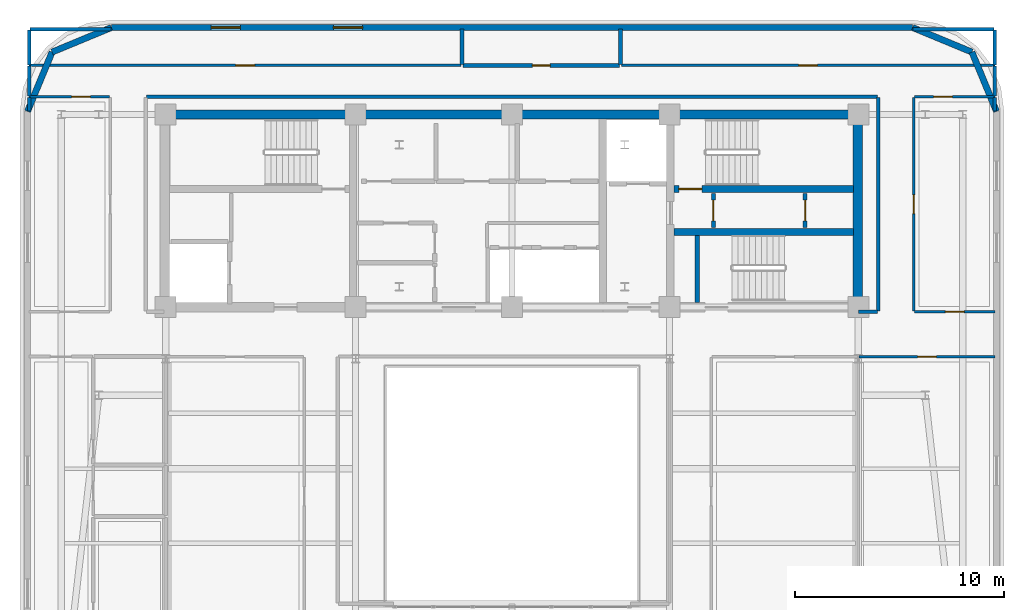
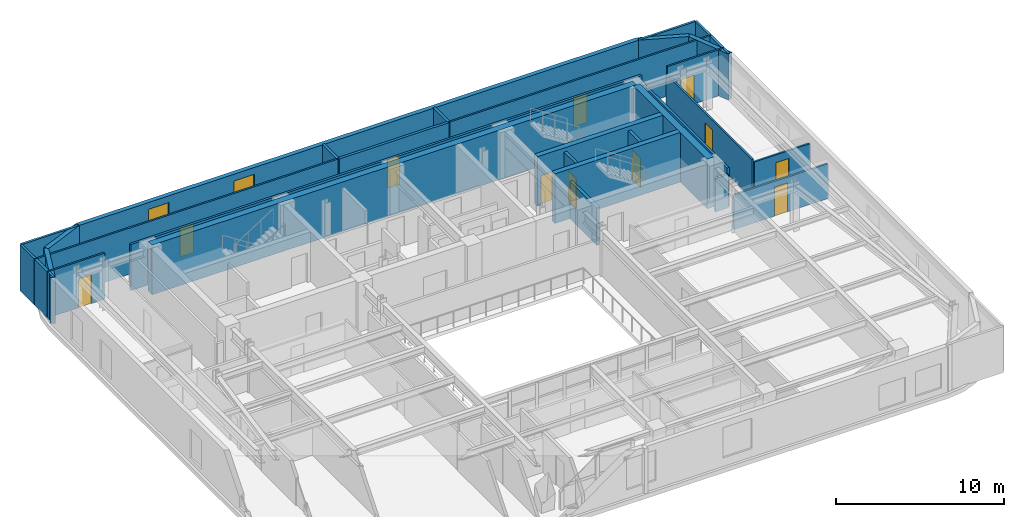
# One storey, part 9 of 14: 33 walls, 11 doors, 2 windows, 13 openings.
"""IFC4 building model written with IfcOpenShell, lengths in metres."""

from ifc_helpers import new_model, si_unit, direction, frame, frame_2d, origin, place, context, subcontext, project, spatial, rectangle, extrude, material, layer, layer_set, type_object, element, fill, save


model = new_model("IFC4")

# Units and contexts
model_context = context("Model", 3, precision=1e-05, world=origin(), true_north=direction((0.0, 1.0)))
body_context = subcontext(model_context, "Body", "Model", "MODEL_VIEW")
ifc_project = project(units=[si_unit("LENGTHUNIT", "METRE"), si_unit("AREAUNIT", "SQUARE_METRE"), si_unit("VOLUMEUNIT", "CUBIC_METRE"), si_unit("PLANEANGLEUNIT", "RADIAN"), si_unit("MASSUNIT", "GRAM", prefix="KILO")], contexts=[model_context])

# Site, building, storey
site_placement = place(None, origin())
site = spatial("IfcSite", under=ifc_project, at=site_placement, CompositionType="ELEMENT")
building_placement = place(site_placement, origin())
building = spatial("IfcBuilding", under=site, at=building_placement, Name="Zarnavel Station Tower", CompositionType="ELEMENT")
storey_placement = place(building_placement, frame((0.0, 0.0, 222.0)))
storey = spatial("IfcBuildingStorey", under=building, at=storey_placement, Name="L60", CompositionType="ELEMENT", Elevation=222.0)

# Wall, opening, door
ifc_material_1 = material(Name="Concrete C50/60", Category="concrete")
ifc_layer_1 = layer(ifc_material_1, 0.35009765625)
ifc_layer_set_1 = layer_set([ifc_layer_1], Name="CW_350")
wall_type_1 = type_object("IfcWallType", Name="CW_350", PredefinedType="SHEAR", material=ifc_layer_set_1)
wall_1_placement = place(storey_placement, frame((45.155029296875, 33.47998046875, 0.0), z_axis=(0.0, 0.0, 1.0), x_axis=(-1.0, 0.0, 0.0)))
wall_1 = element("IfcWall", 1, at=wall_1_placement, inside=storey, type_object=wall_type_1, Name="L60 Rear Core Shear Wall DIV-H2", PredefinedType="SHEAR", context=body_context, shape_type="SweptSolid", body=[
    extrude(rectangle(XDim=8.60009765625, YDim=0.35009765625, at=frame_2d((4.300048828125, 0.0))), origin(), (0.0, 0.0, 1.0), 3.60009765625),
])
opening_1_placement = place(wall_1_placement, frame((7.2548828125, 0.0, 0.0)))
opening_1 = element("IfcOpeningElement", 2, at=opening_1_placement, cuts=wall_1, Name="Opening FD01", PredefinedType="OPENING", context=body_context, shape_type="SweptSolid", body=[
    extrude(rectangle(XDim=1.10009765625, YDim=2.14990234375, at=frame_2d((0.550048828125, 1.074951171875))), frame((0.0, 0.18505859375, 0.0), z_axis=(0.0, -1.0, 0.0), x_axis=(1.0, 0.0, 0.0)), (0.0, 0.0, 1.0), 0.3701171875),
])
ifc_material_2 = material(Name="Painted Galvanised Steel and Hardwood Leaf", Category="steel")
door_type_1 = type_object("IfcDoorType", Name="ID_STAIR_1100", OperationType="NOTDEFINED", PredefinedType="DOOR", material=ifc_material_2)
door_1_placement = place(opening_1_placement, origin())
door_1 = element("IfcDoor", 3, at=door_1_placement, inside=storey, type_object=door_type_1, Name="L60 Stair ST2 Lobby Fire Door", OperationType="SINGLE_SWING_RIGHT", OverallHeight=2.14990234375, OverallWidth=1.10009765625, PredefinedType="DOOR", context=body_context, shape_type="SweptSolid", body=[
    extrude(rectangle(XDim=1.10009765625, YDim=2.14990234375, at=frame_2d((0.550048828125, 1.074951171875))), frame((0.0, 0.02490234375, 0.0), z_axis=(0.0, -1.0, 0.0), x_axis=(1.0, 0.0, 0.0)), (0.0, 0.0, 1.0), 0.050048828125),
])
fill(opening_1, door_1)

# Walls
wall_2_placement = place(storey_placement, frame((36.554931640625, 31.419921875, 0.0), z_axis=(0.0, 0.0, 1.0), x_axis=(1.0, 0.0, 0.0)))
element("IfcWall", 4, at=wall_2_placement, inside=storey, type_object=wall_type_1, Name="L60 Rear Core Shear Wall DIV-H3", PredefinedType="SHEAR", context=body_context, shape_type="SweptSolid", body=[
    extrude(rectangle(XDim=8.60009765625, YDim=0.35009765625, at=frame_2d((4.300048828125, 0.0))), origin(), (0.0, 0.0, 1.0), 3.60009765625),
])
ifc_material_3 = material(Name="Concrete C50/60", Category="concrete")
ifc_layer_2 = layer(ifc_material_3, 0.449951171875)
ifc_layer_set_2 = layer_set([ifc_layer_2], Name="CW_450")
wall_type_2 = type_object("IfcWallType", Name="CW_450", PredefinedType="SHEAR", material=ifc_layer_set_2)
wall_3_placement = place(storey_placement, frame((12.14990234375, 37.050048828125, 0.0), z_axis=(0.0, 0.0, 1.0), x_axis=(1.0, 0.0, 0.0)))
element("IfcWall", 5, at=wall_3_placement, inside=storey, type_object=wall_type_2, Name="L60 Rear Core Shear Wall N", PredefinedType="SHEAR", context=body_context, shape_type="SweptSolid", body=[
    extrude(rectangle(XDim=33.22998046875, YDim=0.449951171875, at=frame_2d((16.614990234375, 0.0))), origin(), (0.0, 0.0, 1.0), 3.60009765625),
])
wall_4_placement = place(storey_placement, frame((45.3798828125, 28.044921875, 0.0), z_axis=(0.0, 0.0, 1.0), x_axis=(0.0, 1.0, 0.0)))
element("IfcWall", 6, at=wall_4_placement, inside=storey, type_object=wall_type_2, Name="L60 Rear Core Shear Wall E", PredefinedType="SHEAR", context=body_context, shape_type="SweptSolid", body=[
    extrude(rectangle(XDim=8.780029296875, YDim=0.449951171875, at=frame_2d((4.39013671875, 0.0))), origin(), (0.0, 0.0, 1.0), 3.60009765625),
])
ifc_material_4 = material(Name="Precast concrete C45/55 (Dark Basalt Finish)", Category="masonry")
ifc_layer_3 = layer(ifc_material_4, 0.300048828125)
ifc_layer_set_3 = layer_set([ifc_layer_3], Name="EW_BASALT_300")
wall_type_3 = type_object("IfcWallType", Name="EW_BASALT_300", PredefinedType="SOLIDWALL", material=ifc_layer_set_3)
for number, where, z_axis, x_axis, name in (
    (7, (50.842529296875, 40.04248046875, 0.0), (0.0, 0.0, 1.0), (0.382704529509, -0.923870793506, 0.0), "L60 Exterior Basalt Masonry Frame Wall 04"),
    (8, (48.0, 41.219970703125, 0.0), (0.0, 0.0, 1.0), (0.923870793506, -0.382704529509, 0.0), "L60 Exterior Basalt Masonry Frame Wall 05"),
):
    element("IfcWall", number, at=place(storey_placement, frame(where, z_axis=z_axis, x_axis=x_axis)), inside=storey, type_object=wall_type_3, Name=name, PredefinedType="SOLIDWALL", context=body_context, shape_type="SweptSolid", body=[
        extrude(rectangle(XDim=3.07666015625, YDim=0.300048828125, at=frame_2d((1.538330078125, 0.0))), origin(), (0.0, 0.0, 1.0), 3.340087890625),
    ])

# Wall, openings, windows
wall_5_placement = place(storey_placement, frame((9.60009765625, 41.219970703125, 0.0), z_axis=(0.0, 0.0, 1.0), x_axis=(1.0, 0.0, 0.0)))
wall_5 = element("IfcWall", 9, at=wall_5_placement, inside=storey, type_object=wall_type_3, Name="L60 Exterior Basalt Masonry Frame Wall 06", PredefinedType="SOLIDWALL", context=body_context, shape_type="SweptSolid", body=[
    extrude(rectangle(XDim=38.39990234375, YDim=0.300048828125, at=frame_2d((19.199951171875, 0.0))), origin(), (0.0, 0.0, 1.0), 3.340087890625),
])
opening_2_placement = place(wall_5_placement, frame((4.780029296875, 0.0, 0.75)))
opening_2 = element("IfcOpeningElement", 10, at=opening_2_placement, cuts=wall_5, Name="Opening WN04", PredefinedType="OPENING", context=body_context, shape_type="SweptSolid", body=[
    extrude(rectangle(XDim=1.39990234375, YDim=2.10009765625, at=frame_2d((0.699951171875, 1.050048828125))), frame((0.0, 0.159912109375, 0.0), z_axis=(0.0, -1.0, 0.0), x_axis=(1.0, 0.0, 0.0)), (0.0, 0.0, 1.0), 0.320068359375),
])
opening_3_placement = place(wall_5_placement, frame((10.639892578125, 0.0, 0.75)))
opening_3 = element("IfcOpeningElement", 11, at=opening_3_placement, cuts=wall_5, Name="Opening WN04", PredefinedType="OPENING", context=body_context, shape_type="SweptSolid", body=[
    extrude(rectangle(XDim=1.39990234375, YDim=2.10009765625, at=frame_2d((0.699951171875, 1.050048828125))), frame((0.0, 0.159912109375, 0.0), z_axis=(0.0, -1.0, 0.0), x_axis=(1.0, 0.0, 0.0)), (0.0, 0.0, 1.0), 0.320068359375),
])
ifc_material_5 = material(Name="Thermally Broken Black Aluminium and Low-E Dark Glass", Category="aluminium")
window_type = type_object("IfcWindowType", Name="WN_1400x2100", PartitioningType="DOUBLE_PANEL_VERTICAL", PredefinedType="WINDOW", material=ifc_material_5)
window_1_placement = place(opening_2_placement, origin())
window_1 = element("IfcWindow", 12, at=window_1_placement, inside=storey, type_object=window_type, Name="L60 Recessed Facade Window 01", OverallHeight=2.10009765625, OverallWidth=1.39990234375, PartitioningType="SINGLE_PANEL", PredefinedType="WINDOW", context=body_context, shape_type="SweptSolid", body=[
    extrude(rectangle(XDim=1.39990234375, YDim=2.10009765625, at=frame_2d((0.699951171875, 1.050048828125))), frame((0.0, 0.030029296875, 0.0), z_axis=(0.0, -1.0, 0.0), x_axis=(1.0, 0.0, 0.0)), (0.0, 0.0, 1.0), 0.06005859375),
])
fill(opening_2, window_1)
window_2_placement = place(opening_3_placement, origin())
window_2 = element("IfcWindow", 13, at=window_2_placement, inside=storey, type_object=window_type, Name="L60 Recessed Facade Window 02", OverallHeight=2.10009765625, OverallWidth=1.39990234375, PartitioningType="SINGLE_PANEL", PredefinedType="WINDOW", context=body_context, shape_type="SweptSolid", body=[
    extrude(rectangle(XDim=1.39990234375, YDim=2.10009765625, at=frame_2d((0.699951171875, 1.050048828125))), frame((0.0, 0.030029296875, 0.0), z_axis=(0.0, -1.0, 0.0), x_axis=(1.0, 0.0, 0.0)), (0.0, 0.0, 1.0), 0.06005859375),
])
fill(opening_3, window_2)

# Walls
wall_6_placement = place(storey_placement, frame((6.75732421875, 40.04248046875, 0.0), z_axis=(0.0, 0.0, 1.0), x_axis=(0.923882414032, 0.382676475685, 0.0)))
element("IfcWall", 14, at=wall_6_placement, inside=storey, type_object=wall_type_3, Name="L60 Exterior Basalt Masonry Frame Wall 07", PredefinedType="SOLIDWALL", context=body_context, shape_type="SweptSolid", body=[
    extrude(rectangle(XDim=3.076904296875, YDim=0.300048828125, at=frame_2d((1.53857421875, 0.0))), origin(), (0.0, 0.0, 1.0), 3.340087890625),
])
wall_7_placement = place(storey_placement, frame((5.580078125, 37.199951171875, 0.0), z_axis=(0.0, 0.0, 1.0), x_axis=(0.382636798336, 0.92389884758, 0.0)))
element("IfcWall", 15, at=wall_7_placement, inside=storey, type_object=wall_type_3, Name="L60 Exterior Basalt Masonry Frame Wall 08", PredefinedType="SOLIDWALL", context=body_context, shape_type="SweptSolid", body=[
    extrude(rectangle(XDim=3.07666015625, YDim=0.300048828125, at=frame_2d((1.538330078125, 0.0))), origin(), (0.0, 0.0, 1.0), 3.340087890625),
])
ifc_material_6 = material(Name="Gypsum Twin-Stud Acoustic Fire Partition", Category="concrete")
ifc_layer_4 = layer(ifc_material_6, 0.159912109375)
ifc_layer_set_4 = layer_set([ifc_layer_4], Name="PT_DEMISE_160")
wall_type_4 = type_object("IfcWallType", Name="PT_DEMISE_160", PredefinedType="PARTITIONING", material=ifc_layer_set_4)
wall_8_placement = place(storey_placement, frame((45.409912109375, 27.60009765625, 0.0), z_axis=(0.0, 0.0, 1.0), x_axis=(1.0, 0.0, 0.0)))
element("IfcWall", 16, at=wall_8_placement, inside=storey, type_object=wall_type_4, Name="L60 Enclosure Wall COR-S", PredefinedType="PARTITIONING", context=body_context, shape_type="SweptSolid", body=[
    extrude(rectangle(XDim=0.91015625, YDim=0.159912109375, at=frame_2d((0.455078125, 0.0))), origin(), (0.0, 0.0, 1.0), 2.409912109375),
])
wall_9_placement = place(storey_placement, frame((46.35009765625, 27.6298828125, 0.0), z_axis=(0.0, 0.0, 1.0), x_axis=(0.0, 1.0, 0.0)))
element("IfcWall", 17, at=wall_9_placement, inside=storey, type_object=wall_type_4, Name="L60 Enclosure Wall COR-E", PredefinedType="PARTITIONING", context=body_context, shape_type="SweptSolid", body=[
    extrude(rectangle(XDim=10.240234375, YDim=0.159912109375, at=frame_2d((5.1201171875, 0.0))), origin(), (0.0, 0.0, 1.0), 2.820068359375),
])
wall_10_placement = place(storey_placement, frame((11.280029296875, 37.89990234375, 0.0), z_axis=(0.0, 0.0, 1.0), x_axis=(1.0, 0.0, 0.0)))
element("IfcWall", 18, at=wall_10_placement, inside=storey, type_object=wall_type_4, Name="L60 Enclosure Wall COR-N", PredefinedType="PARTITIONING", context=body_context, shape_type="SweptSolid", body=[
    extrude(rectangle(XDim=35.0400390625, YDim=0.159912109375, at=frame_2d((17.52001953125, 0.0))), origin(), (0.0, 0.0, 1.0), 3.340087890625),
])
for number, where, z_axis, x_axis, name in (
    (19, (5.659912109375, 37.929931640625, 0.0), (0.0, 0.0, 1.0), (0.0, 1.0, 0.0), "L60 Enclosure Wall COR-N"),
    (20, (51.93994140625, 37.929931640625, 0.0), (0.0, 0.0, 1.0), (0.0, 1.0, 0.0), "L60 Enclosure Wall COR-N"),
):
    element("IfcWall", number, at=place(storey_placement, frame(where, z_axis=z_axis, x_axis=x_axis)), inside=storey, type_object=wall_type_4, Name=name, PredefinedType="PARTITIONING", context=body_context, shape_type="SweptSolid", body=[
        extrude(rectangle(XDim=1.440185546875, YDim=0.159912109375, at=frame_2d((0.72021484375, 0.0))), origin(), (0.0, 0.0, 1.0), 3.340087890625),
    ])
for number, where, z_axis, x_axis, name in (
    (21, (5.659912109375, 37.22998046875, 0.0), (0.0, 0.0, 1.0), (0.0, 1.0, 0.0), "L60 Enclosure Wall FNW"),
    (22, (51.93994140625, 37.22998046875, 0.0), (0.0, 0.0, 1.0), (0.0, 1.0, 0.0), "L60 Enclosure Wall FNE"),
):
    element("IfcWall", number, at=place(storey_placement, frame(where, z_axis=z_axis, x_axis=x_axis)), inside=storey, type_object=wall_type_4, Name=name, PredefinedType="PARTITIONING", context=body_context, shape_type="SweptSolid", body=[
        extrude(rectangle(XDim=0.64013671875, YDim=0.159912109375, at=frame_2d((0.320068359375, 0.0))), origin(), (0.0, 0.0, 1.0), 3.340087890625),
    ])
wall_11_placement = place(storey_placement, frame((5.68994140625, 41.139892578125, 0.0), z_axis=(0.0, 0.0, 1.0), x_axis=(1.0, 0.0, 0.0)))
element("IfcWall", 23, at=wall_11_placement, inside=storey, type_object=wall_type_4, Name="L60 Enclosure Wall NSTD", PredefinedType="PARTITIONING", context=body_context, shape_type="SweptSolid", body=[
    extrude(rectangle(XDim=3.880126953125, YDim=0.159912109375, at=frame_2d((1.93994140625, 0.0))), origin(), (0.0, 0.0, 1.0), 3.340087890625),
])
wall_12_placement = place(storey_placement, frame((5.659912109375, 39.429931640625, 0.0), z_axis=(0.0, 0.0, 1.0), x_axis=(0.0, 1.0, 0.0)))
element("IfcWall", 24, at=wall_12_placement, inside=storey, type_object=wall_type_4, Name="L60 Enclosure Wall NSTD", PredefinedType="PARTITIONING", context=body_context, shape_type="SweptSolid", body=[
    extrude(rectangle(XDim=1.68017578125, YDim=0.159912109375, at=frame_2d((0.840087890625, 0.0))), origin(), (0.0, 0.0, 1.0), 3.340087890625),
])
wall_13_placement = place(storey_placement, frame((48.030029296875, 41.139892578125, 0.0), z_axis=(0.0, 0.0, 1.0), x_axis=(1.0, 0.0, 0.0)))
element("IfcWall", 25, at=wall_13_placement, inside=storey, type_object=wall_type_4, Name="L60 Enclosure Wall NSTR", PredefinedType="PARTITIONING", context=body_context, shape_type="SweptSolid", body=[
    extrude(rectangle(XDim=3.8798828125, YDim=0.159912109375, at=frame_2d((1.93994140625, 0.0))), origin(), (0.0, 0.0, 1.0), 3.340087890625),
])
wall_14_placement = place(storey_placement, frame((51.93994140625, 39.429931640625, 0.0), z_axis=(0.0, 0.0, 1.0), x_axis=(0.0, 1.0, 0.0)))
element("IfcWall", 26, at=wall_14_placement, inside=storey, type_object=wall_type_4, Name="L60 Enclosure Wall NSTR", PredefinedType="PARTITIONING", context=body_context, shape_type="SweptSolid", body=[
    extrude(rectangle(XDim=1.68017578125, YDim=0.159912109375, at=frame_2d((0.840087890625, 0.0))), origin(), (0.0, 0.0, 1.0), 3.340087890625),
])

# Wall, opening, door
ifc_material_7 = material(Name="Gypsum Metal-Stud Interior Partition", Category="concrete")
ifc_layer_5 = layer(ifc_material_7, 0.1201171875)
ifc_layer_set_5 = layer_set([ifc_layer_5], Name="PT_ROOM_120")
wall_type_5 = type_object("IfcWallType", Name="PT_ROOM_120", PredefinedType="PARTITIONING", material=ifc_layer_set_5)
wall_15_placement = place(storey_placement, frame((48.090087890625, 27.60009765625, 0.0), z_axis=(0.0, 0.0, 1.0), x_axis=(1.0, 0.0, 0.0)))
wall_15 = element("IfcWall", 27, at=wall_15_placement, inside=storey, type_object=wall_type_5, Name="L60 Partition COR-S-FNE", PredefinedType="PARTITIONING", context=body_context, shape_type="SweptSolid", body=[
    extrude(rectangle(XDim=3.849853515625, YDim=0.1201171875, at=frame_2d((1.9248046875, 0.0))), origin(), (0.0, 0.0, 1.0), 2.669921875),
])
opening_4_placement = place(wall_15_placement, frame((1.47509765625, 0.0, 0.0)))
opening_4 = element("IfcOpeningElement", 28, at=opening_4_placement, cuts=wall_15, Name="Opening ID01", PredefinedType="OPENING", context=body_context, shape_type="SweptSolid", body=[
    extrude(rectangle(XDim=0.89990234375, YDim=2.10009765625, at=frame_2d((0.449951171875, 1.050048828125))), frame((0.0, 0.070068359375, 0.0), z_axis=(0.0, -1.0, 0.0), x_axis=(1.0, 0.0, 0.0)), (0.0, 0.0, 1.0), 0.14013671875),
])
ifc_material_8 = material(Name="Painted Galvanised Steel and Hardwood Leaf", Category="steel")
door_type_2 = type_object("IfcDoorType", Name="ID_ROOM_900", OperationType="NOTDEFINED", PredefinedType="DOOR", material=ifc_material_8)
door_2_placement = place(opening_4_placement, origin())
door_2 = element("IfcDoor", 29, at=door_2_placement, inside=storey, type_object=door_type_2, Name="L60 Door COR-S-FNE", OperationType="SINGLE_SWING_LEFT", OverallHeight=2.10009765625, OverallWidth=0.89990234375, PredefinedType="DOOR", context=body_context, shape_type="SweptSolid", body=[
    extrude(rectangle(XDim=0.89990234375, YDim=2.10009765625, at=frame_2d((0.449951171875, 1.050048828125))), frame((0.0, 0.02490234375, 0.0), z_axis=(0.0, -1.0, 0.0), x_axis=(1.0, 0.0, 0.0)), (0.0, 0.0, 1.0), 0.050048828125),
])
fill(opening_4, door_2)

wall_16_placement = place(storey_placement, frame((45.43994140625, 25.449951171875, 0.0), z_axis=(0.0, 0.0, 1.0), x_axis=(1.0, 0.0, 0.0)))
wall_16 = element("IfcWall", 30, at=wall_16_placement, inside=storey, type_object=wall_type_5, Name="L60 Partition COR-S-L59TEA", PredefinedType="PARTITIONING", context=body_context, shape_type="SweptSolid", body=[
    extrude(rectangle(XDim=6.5, YDim=0.1201171875, at=frame_2d((3.25, 0.0))), origin(), (0.0, 0.0, 1.0), 2.52001953125),
])
opening_5_placement = place(wall_16_placement, frame((2.800048828125, 0.0, 0.0)))
opening_5 = element("IfcOpeningElement", 31, at=opening_5_placement, cuts=wall_16, Name="Opening ID01", PredefinedType="OPENING", context=body_context, shape_type="SweptSolid", body=[
    extrude(rectangle(XDim=0.89990234375, YDim=2.10009765625, at=frame_2d((0.449951171875, 1.050048828125))), frame((0.0, 0.070068359375, 0.0), z_axis=(0.0, -1.0, 0.0), x_axis=(1.0, 0.0, 0.0)), (0.0, 0.0, 1.0), 0.14013671875),
])
door_3_placement = place(opening_5_placement, origin())
door_3 = element("IfcDoor", 32, at=door_3_placement, inside=storey, type_object=door_type_2, Name="L60 Door COR-S-L59TEA", OperationType="SINGLE_SWING_LEFT", OverallHeight=2.10009765625, OverallWidth=0.89990234375, PredefinedType="DOOR", context=body_context, shape_type="SweptSolid", body=[
    extrude(rectangle(XDim=0.89990234375, YDim=2.10009765625, at=frame_2d((0.449951171875, 1.050048828125))), frame((0.0, 0.02490234375, 0.0), z_axis=(0.0, -1.0, 0.0), x_axis=(1.0, 0.0, 0.0)), (0.0, 0.0, 1.0), 0.050048828125),
])
fill(opening_5, door_3)

wall_17_placement = place(storey_placement, frame((48.050048828125, 27.639892578125, 0.0), z_axis=(0.0, 0.0, 1.0), x_axis=(0.0, 1.0, 0.0)))
wall_17 = element("IfcWall", 33, at=wall_17_placement, inside=storey, type_object=wall_type_5, Name="L60 Partition COR-E-FNE", PredefinedType="PARTITIONING", context=body_context, shape_type="SweptSolid", body=[
    extrude(rectangle(XDim=10.22021484375, YDim=0.1201171875, at=frame_2d((5.110107421875, 0.0))), origin(), (0.0, 0.0, 1.0), 2.820068359375),
])
opening_6_placement = place(wall_17_placement, frame((4.659912109375, 0.0, 0.0)))
opening_6 = element("IfcOpeningElement", 34, at=opening_6_placement, cuts=wall_17, Name="Opening ID01", PredefinedType="OPENING", context=body_context, shape_type="SweptSolid", body=[
    extrude(rectangle(XDim=0.89990234375, YDim=2.10009765625, at=frame_2d((0.449951171875, 1.050048828125))), frame((0.0, 0.070068359375, 0.0), z_axis=(0.0, -1.0, 0.0), x_axis=(1.0, 0.0, 0.0)), (0.0, 0.0, 1.0), 0.14013671875),
])
door_4_placement = place(opening_6_placement, origin())
door_4 = element("IfcDoor", 35, at=door_4_placement, inside=storey, type_object=door_type_2, Name="L60 Door COR-E-FNE", OperationType="SINGLE_SWING_RIGHT", OverallHeight=2.10009765625, OverallWidth=0.89990234375, PredefinedType="DOOR", context=body_context, shape_type="SweptSolid", body=[
    extrude(rectangle(XDim=0.89990234375, YDim=2.10009765625, at=frame_2d((0.449951171875, 1.050048828125))), frame((0.0, 0.02490234375, 0.0), z_axis=(0.0, -1.0, 0.0), x_axis=(1.0, 0.0, 0.0)), (0.0, 0.0, 1.0), 0.050048828125),
])
fill(opening_6, door_4)

wall_18_placement = place(storey_placement, frame((5.659912109375, 37.89990234375, 0.0), z_axis=(0.0, 0.0, 1.0), x_axis=(1.0, 0.0, 0.0)))
wall_18 = element("IfcWall", 36, at=wall_18_placement, inside=storey, type_object=wall_type_5, Name="L60 Partition COR-N-FNW", PredefinedType="PARTITIONING", context=body_context, shape_type="SweptSolid", body=[
    extrude(rectangle(XDim=3.85009765625, YDim=0.1201171875, at=frame_2d((1.925048828125, 0.0))), origin(), (0.0, 0.0, 1.0), 3.340087890625),
])
opening_7_placement = place(wall_18_placement, frame((2.03125, 0.0, 0.0)))
opening_7 = element("IfcOpeningElement", 37, at=opening_7_placement, cuts=wall_18, Name="Opening ID01", PredefinedType="OPENING", context=body_context, shape_type="SweptSolid", body=[
    extrude(rectangle(XDim=0.89990234375, YDim=2.10009765625, at=frame_2d((0.449951171875, 1.050048828125))), frame((0.0, 0.070068359375, 0.0), z_axis=(0.0, -1.0, 0.0), x_axis=(1.0, 0.0, 0.0)), (0.0, 0.0, 1.0), 0.14013671875),
])
door_5_placement = place(opening_7_placement, origin())
door_5 = element("IfcDoor", 38, at=door_5_placement, inside=storey, type_object=door_type_2, Name="L60 Door COR-N-FNW", OperationType="SINGLE_SWING_LEFT", OverallHeight=2.10009765625, OverallWidth=0.89990234375, PredefinedType="DOOR", context=body_context, shape_type="SweptSolid", body=[
    extrude(rectangle(XDim=0.89990234375, YDim=2.10009765625, at=frame_2d((0.449951171875, 1.050048828125))), frame((0.0, 0.02490234375, 0.0), z_axis=(0.0, -1.0, 0.0), x_axis=(1.0, 0.0, 0.0)), (0.0, 0.0, 1.0), 0.050048828125),
])
fill(opening_7, door_5)

wall_19_placement = place(storey_placement, frame((48.090087890625, 37.89990234375, 0.0), z_axis=(0.0, 0.0, 1.0), x_axis=(1.0, 0.0, 0.0)))
wall_19 = element("IfcWall", 39, at=wall_19_placement, inside=storey, type_object=wall_type_5, Name="L60 Partition COR-N-FNE", PredefinedType="PARTITIONING", context=body_context, shape_type="SweptSolid", body=[
    extrude(rectangle(XDim=3.849853515625, YDim=0.1201171875, at=frame_2d((1.9248046875, 0.0))), origin(), (0.0, 0.0, 1.0), 3.340087890625),
])
opening_8_placement = place(wall_19_placement, frame((0.918701171875, 0.0, 0.0)))
opening_8 = element("IfcOpeningElement", 40, at=opening_8_placement, cuts=wall_19, Name="Opening ID01", PredefinedType="OPENING", context=body_context, shape_type="SweptSolid", body=[
    extrude(rectangle(XDim=0.89990234375, YDim=2.10009765625, at=frame_2d((0.449951171875, 1.050048828125))), frame((0.0, 0.070068359375, 0.0), z_axis=(0.0, -1.0, 0.0), x_axis=(1.0, 0.0, 0.0)), (0.0, 0.0, 1.0), 0.14013671875),
])
door_6_placement = place(opening_8_placement, origin())
door_6 = element("IfcDoor", 41, at=door_6_placement, inside=storey, type_object=door_type_2, Name="L60 Door COR-N-FNE", OperationType="SINGLE_SWING_RIGHT", OverallHeight=2.10009765625, OverallWidth=0.89990234375, PredefinedType="DOOR", context=body_context, shape_type="SweptSolid", body=[
    extrude(rectangle(XDim=0.89990234375, YDim=2.10009765625, at=frame_2d((0.449951171875, 1.050048828125))), frame((0.0, 0.02490234375, 0.0), z_axis=(0.0, -1.0, 0.0), x_axis=(1.0, 0.0, 0.0)), (0.0, 0.0, 1.0), 0.050048828125),
])
fill(opening_8, door_6)

wall_20_placement = place(storey_placement, frame((5.659912109375, 39.39990234375, 0.0), z_axis=(0.0, 0.0, 1.0), x_axis=(1.0, 0.0, 0.0)))
wall_20 = element("IfcWall", 42, at=wall_20_placement, inside=storey, type_object=wall_type_5, Name="L60 Partition COR-N-NSTD", PredefinedType="PARTITIONING", context=body_context, shape_type="SweptSolid", body=[
    extrude(rectangle(XDim=20.7001953125, YDim=0.1201171875, at=frame_2d((10.35009765625, 0.0))), origin(), (0.0, 0.0, 1.0), 3.340087890625),
])
opening_9_placement = place(wall_20_placement, frame((9.89990234375, 0.0, 0.0)))
opening_9 = element("IfcOpeningElement", 43, at=opening_9_placement, cuts=wall_20, Name="Opening ID01", PredefinedType="OPENING", context=body_context, shape_type="SweptSolid", body=[
    extrude(rectangle(XDim=0.89990234375, YDim=2.10009765625, at=frame_2d((0.449951171875, 1.050048828125))), frame((0.0, 0.070068359375, 0.0), z_axis=(0.0, -1.0, 0.0), x_axis=(1.0, 0.0, 0.0)), (0.0, 0.0, 1.0), 0.14013671875),
])
door_7_placement = place(opening_9_placement, origin())
door_7 = element("IfcDoor", 44, at=door_7_placement, inside=storey, type_object=door_type_2, Name="L60 Door COR-N-NSTD", OperationType="SINGLE_SWING_LEFT", OverallHeight=2.10009765625, OverallWidth=0.89990234375, PredefinedType="DOOR", context=body_context, shape_type="SweptSolid", body=[
    extrude(rectangle(XDim=0.89990234375, YDim=2.10009765625, at=frame_2d((0.449951171875, 1.050048828125))), frame((0.0, 0.02490234375, 0.0), z_axis=(0.0, -1.0, 0.0), x_axis=(1.0, 0.0, 0.0)), (0.0, 0.0, 1.0), 0.050048828125),
])
fill(opening_9, door_7)

wall_21_placement = place(storey_placement, frame((34.0400390625, 39.39990234375, 0.0), z_axis=(0.0, 0.0, 1.0), x_axis=(1.0, 0.0, 0.0)))
wall_21 = element("IfcWall", 45, at=wall_21_placement, inside=storey, type_object=wall_type_5, Name="L60 Partition COR-N-NSTR", PredefinedType="PARTITIONING", context=body_context, shape_type="SweptSolid", body=[
    extrude(rectangle(XDim=17.89990234375, YDim=0.1201171875, at=frame_2d((8.949951171875, 0.0))), origin(), (0.0, 0.0, 1.0), 3.340087890625),
])
opening_10_placement = place(wall_21_placement, frame((8.5, 0.0, 0.0)))
opening_10 = element("IfcOpeningElement", 46, at=opening_10_placement, cuts=wall_21, Name="Opening ID01", PredefinedType="OPENING", context=body_context, shape_type="SweptSolid", body=[
    extrude(rectangle(XDim=0.89990234375, YDim=2.10009765625, at=frame_2d((0.449951171875, 1.050048828125))), frame((0.0, 0.070068359375, 0.0), z_axis=(0.0, -1.0, 0.0), x_axis=(1.0, 0.0, 0.0)), (0.0, 0.0, 1.0), 0.14013671875),
])
door_8_placement = place(opening_10_placement, origin())
door_8 = element("IfcDoor", 47, at=door_8_placement, inside=storey, type_object=door_type_2, Name="L60 Door COR-N-NSTR", OperationType="SINGLE_SWING_LEFT", OverallHeight=2.10009765625, OverallWidth=0.89990234375, PredefinedType="DOOR", context=body_context, shape_type="SweptSolid", body=[
    extrude(rectangle(XDim=0.89990234375, YDim=2.10009765625, at=frame_2d((0.449951171875, 1.050048828125))), frame((0.0, 0.02490234375, 0.0), z_axis=(0.0, -1.0, 0.0), x_axis=(1.0, 0.0, 0.0)), (0.0, 0.0, 1.0), 0.050048828125),
])
fill(opening_10, door_8)

# Wall
ifc_material_9 = material(Name="Precast concrete C45/55 (Fire Shaft Blockwork)", Category="masonry")
ifc_layer_6 = layer(ifc_material_9, 0.199951171875)
ifc_layer_set_6 = layer_set([ifc_layer_6], Name="PT_SHAFT_200")
wall_type_6 = type_object("IfcWallType", Name="PT_SHAFT_200", PredefinedType="PARTITIONING", material=ifc_layer_set_6)
wall_22_placement = place(storey_placement, frame((37.679931640625, 28.044921875, 0.0), z_axis=(0.0, 0.0, 1.0), x_axis=(0.0, 1.0, 0.0)))
element("IfcWall", 48, at=wall_22_placement, inside=storey, type_object=wall_type_6, Name="L60 Stair ST3 West Shaft Wall", PredefinedType="PARTITIONING", context=body_context, shape_type="SweptSolid", body=[
    extrude(rectangle(XDim=3.205078125, YDim=0.199951171875, at=frame_2d((1.6025390625, 0.0))), origin(), (0.0, 0.0, 1.0), 2.719970703125),
])

# Wall, opening, door
wall_23_placement = place(storey_placement, frame((38.449951171875, 31.639892578125, 0.0), z_axis=(0.0, 0.0, 1.0), x_axis=(0.0, 1.0, 0.0)))
wall_23 = element("IfcWall", 49, at=wall_23_placement, inside=storey, type_object=wall_type_6, Name="L60 Partition ESTV-CEA", PredefinedType="PARTITIONING", context=body_context, shape_type="SweptSolid", body=[
    extrude(rectangle(XDim=1.6201171875, YDim=0.199951171875, at=frame_2d((0.81005859375, 0.0))), origin(), (0.0, 0.0, 1.0), 3.340087890625),
])
opening_11_placement = place(wall_23_placement, frame((0.31005859375, 0.0, 0.0)))
opening_11 = element("IfcOpeningElement", 50, at=opening_11_placement, cuts=wall_23, Name="Opening FD02", PredefinedType="OPENING", context=body_context, shape_type="SweptSolid", body=[
    extrude(rectangle(XDim=1.0, YDim=2.14990234375, at=frame_2d((0.5, 1.074951171875))), frame((0.0, 0.10986328125, 0.0), z_axis=(0.0, -1.0, 0.0), x_axis=(1.0, 0.0, 0.0)), (0.0, 0.0, 1.0), 0.219970703125),
])
ifc_material_10 = material(Name="Painted Galvanised Steel and Hardwood Leaf", Category="steel")
door_type_3 = type_object("IfcDoorType", Name="ID_ENTRY_1000", OperationType="NOTDEFINED", PredefinedType="DOOR", material=ifc_material_10)
door_9_placement = place(opening_11_placement, origin())
door_9 = element("IfcDoor", 51, at=door_9_placement, inside=storey, type_object=door_type_3, Name="L60 Door ESTV-CEA", OperationType="SINGLE_SWING_RIGHT", OverallHeight=2.14990234375, OverallWidth=1.0, PredefinedType="DOOR", context=body_context, shape_type="SweptSolid", body=[
    extrude(rectangle(XDim=1.0, YDim=2.14990234375, at=frame_2d((0.5, 1.074951171875))), frame((0.0, 0.02490234375, 0.0), z_axis=(0.0, -1.0, 0.0), x_axis=(1.0, 0.0, 0.0)), (0.0, 0.0, 1.0), 0.050048828125),
])
fill(opening_11, door_9)

wall_24_placement = place(storey_placement, frame((42.85009765625, 31.639892578125, 0.0), z_axis=(0.0, 0.0, 1.0), x_axis=(0.0, 1.0, 0.0)))
wall_24 = element("IfcWall", 52, at=wall_24_placement, inside=storey, type_object=wall_type_6, Name="L60 Partition CEA-CEB", PredefinedType="PARTITIONING", context=body_context, shape_type="SweptSolid", body=[
    extrude(rectangle(XDim=1.6201171875, YDim=0.199951171875, at=frame_2d((0.81005859375, 0.0))), origin(), (0.0, 0.0, 1.0), 3.340087890625),
])
opening_12_placement = place(wall_24_placement, frame((0.31005859375, 0.0, 0.0)))
opening_12 = element("IfcOpeningElement", 53, at=opening_12_placement, cuts=wall_24, Name="Opening FD02", PredefinedType="OPENING", context=body_context, shape_type="SweptSolid", body=[
    extrude(rectangle(XDim=1.0, YDim=2.14990234375, at=frame_2d((0.5, 1.074951171875))), frame((0.0, 0.10986328125, 0.0), z_axis=(0.0, -1.0, 0.0), x_axis=(1.0, 0.0, 0.0)), (0.0, 0.0, 1.0), 0.219970703125),
])
door_10_placement = place(opening_12_placement, origin())
door_10 = element("IfcDoor", 54, at=door_10_placement, inside=storey, type_object=door_type_3, Name="L60 Door CEA-CEB", OperationType="SINGLE_SWING_LEFT", OverallHeight=2.14990234375, OverallWidth=1.0, PredefinedType="DOOR", context=body_context, shape_type="SweptSolid", body=[
    extrude(rectangle(XDim=1.0, YDim=2.14990234375, at=frame_2d((0.5, 1.074951171875))), frame((0.0, 0.02490234375, 0.0), z_axis=(0.0, -1.0, 0.0), x_axis=(1.0, 0.0, 0.0)), (0.0, 0.0, 1.0), 0.050048828125),
])
fill(opening_12, door_10)

ifc_material_11 = material(Name="Moisture-Resistant Plumbing Chase Wall", Category="concrete")
ifc_layer_7 = layer(ifc_material_11, 0.179931640625)
ifc_layer_set_7 = layer_set([ifc_layer_7], Name="PW_PLUMB_180")
wall_type_7 = type_object("IfcWallType", Name="PW_PLUMB_180", PredefinedType="PLUMBINGWALL", material=ifc_layer_set_7)
wall_25_placement = place(storey_placement, frame((26.43994140625, 39.39990234375, 0.0), z_axis=(0.0, 0.0, 1.0), x_axis=(1.0, 0.0, 0.0)))
wall_25 = element("IfcWall", 55, at=wall_25_placement, inside=storey, type_object=wall_type_7, Name="L60 Partition COR-N-NWC", PredefinedType="PLUMBINGWALL", context=body_context, shape_type="SweptSolid", body=[
    extrude(rectangle(XDim=7.52001953125, YDim=0.179931640625, at=frame_2d((3.760009765625, 0.0))), origin(), (0.0, 0.0, 1.0), 3.340087890625),
])
opening_13_placement = place(wall_25_placement, frame((3.3349609375, 0.0, 0.0)))
opening_13 = element("IfcOpeningElement", 56, at=opening_13_placement, cuts=wall_25, Name="Opening ID02", PredefinedType="OPENING", context=body_context, shape_type="SweptSolid", body=[
    extrude(rectangle(XDim=0.85009765625, YDim=2.10009765625, at=frame_2d((0.425048828125, 1.050048828125))), frame((0.0, 0.099853515625, 0.0), z_axis=(0.0, -1.0, 0.0), x_axis=(1.0, 0.0, 0.0)), (0.0, 0.0, 1.0), 0.199951171875),
])
ifc_material_12 = material(Name="Painted Galvanised Steel and Hardwood Leaf", Category="steel")
door_type_4 = type_object("IfcDoorType", Name="ID_BATH_850", OperationType="NOTDEFINED", PredefinedType="DOOR", material=ifc_material_12)
door_11_placement = place(opening_13_placement, origin())
door_11 = element("IfcDoor", 57, at=door_11_placement, inside=storey, type_object=door_type_4, Name="L60 Door COR-N-NWC", OperationType="SINGLE_SWING_RIGHT", OverallHeight=2.10009765625, OverallWidth=0.85009765625, PredefinedType="DOOR", context=body_context, shape_type="SweptSolid", body=[
    extrude(rectangle(XDim=0.85009765625, YDim=2.10009765625, at=frame_2d((0.425048828125, 1.050048828125))), frame((0.0, 0.02490234375, 0.0), z_axis=(0.0, -1.0, 0.0), x_axis=(1.0, 0.0, 0.0)), (0.0, 0.0, 1.0), 0.050048828125),
])
fill(opening_13, door_11)

# Walls
for number, where, z_axis, x_axis, name in (
    (58, (26.39990234375, 39.43994140625, 0.0), (0.0, 0.0, 1.0), (0.0, 1.0, 0.0), "L60 Partition NSTD-NWC"),
    (59, (34.0, 39.43994140625, 0.0), (0.0, 0.0, 1.0), (0.0, 1.0, 0.0), "L60 Partition NWC-NSTR"),
):
    element("IfcWall", number, at=place(storey_placement, frame(where, z_axis=z_axis, x_axis=x_axis)), inside=storey, type_object=wall_type_7, Name=name, PredefinedType="PLUMBINGWALL", context=body_context, shape_type="SweptSolid", body=[
        extrude(rectangle(XDim=1.699951171875, YDim=0.179931640625, at=frame_2d((0.85009765625, 0.0))), origin(), (0.0, 0.0, 1.0), 3.340087890625),
    ])

save(model, "model.ifc")
